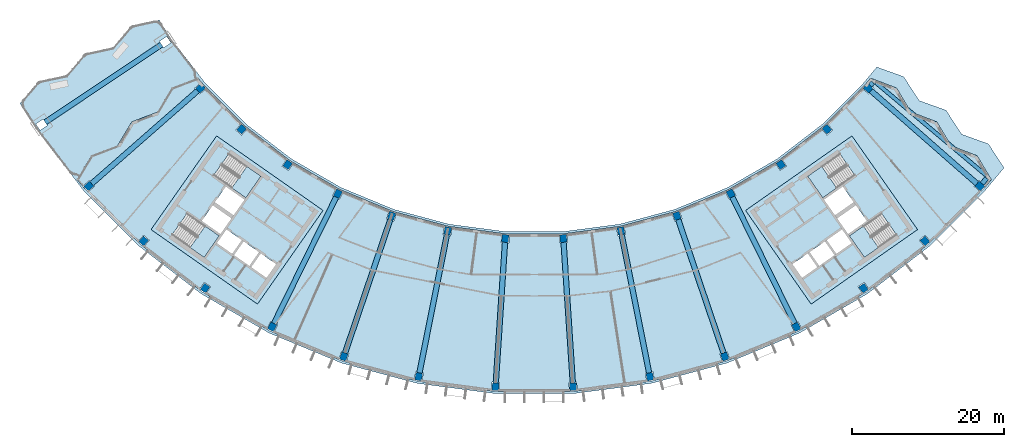
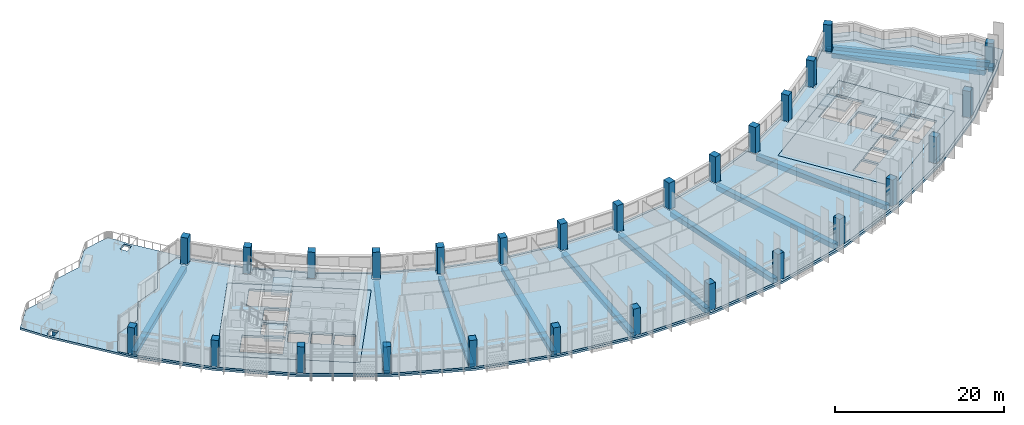
# One storey, part 1 of 29: 28 columns, 14 beams, 8 slabs, 4 elements without a shape of their own.
"""IFC4 building model written with IfcOpenShell, lengths in metres."""

from ifc_helpers import new_model, si_unit, direction, frame, origin, origin_2d, place, context, subcontext, project, spatial, polyline, rectangle, outline, extrude, material, layer, layer_set, material_profile, profile_set, type_object, element, aggregate, save


model = new_model("IFC4")

# Units and contexts
model_context = context("Model", 3, precision=1e-05, world=origin(), true_north=direction((0.0, 1.0)))
body_context = subcontext(model_context, "Body", "Model", "MODEL_VIEW")
ifc_project = project(units=[si_unit("LENGTHUNIT", "METRE"), si_unit("AREAUNIT", "SQUARE_METRE"), si_unit("VOLUMEUNIT", "CUBIC_METRE"), si_unit("PLANEANGLEUNIT", "RADIAN"), si_unit("MASSUNIT", "GRAM", prefix="KILO")], contexts=[model_context])

# Site, building, storey
site_placement = place(None, origin())
site = spatial("IfcSite", under=ifc_project, at=site_placement, CompositionType="ELEMENT")
building_placement = place(site_placement, origin())
building = spatial("IfcBuilding", under=site, at=building_placement, Name="Qamariyya Broadcast Tower", CompositionType="ELEMENT")
storey_placement = place(building_placement, frame((0.0, 0.0, 258.10009765625)))
storey = spatial("IfcBuildingStorey", under=building, at=storey_placement, Name="L62", CompositionType="ELEMENT", Elevation=258.10009765625)

# Columns
ifc_material_1 = material(Name="Concrete C50/60", Category="concrete")
ifc_material_profile_1 = material_profile(ifc_material_1, rectangle(XDim=0.89990234375, YDim=1.0, at=origin_2d()))
ifc_profile_set_1 = profile_set([ifc_material_profile_1], Name="Concrete C50/60")
column_type = type_object("IfcColumnType", Name="RC column 900 x 1000 C50/60", PredefinedType="COLUMN", material=ifc_profile_set_1)
for number, where, z_axis, x_axis, name in (
    (1, (-43.794677734375, -38.406982421875, 0.0), (0.0, 0.0, 1.0), (0.6593458151, -0.751839807479, 0.0), "Column C12 L62 B-R04"),
    (2, (-58.45556640625, -51.26416015625, 0.0), (0.0, 0.0, 1.0), (0.6593458151, -0.751839807479, 0.0), "Column C12 L62 C-R04"),
    (3, (-38.406982421875, -43.794677734375, 0.0), (0.0, 0.0, 1.0), (0.751839807479, -0.6593458151, 0.0), "Column C12 L62 B-R05"),
    (4, (-51.26416015625, -58.45556640625, 0.0), (0.0, 0.0, 1.0), (0.751839807479, -0.6593458151, 0.0), "Column C12 L62 C-R05"),
    (5, (-32.362060546875, -48.43310546875, 0.0), (0.0, 0.0, 1.0), (0.831469612303, -0.55557023302, 0.0), "Column C12 L62 B-R06"),
    (6, (-43.195556640625, -64.646728515625, 0.0), (0.0, 0.0, 1.0), (0.831469612303, -0.55557023302, 0.0), "Column C12 L62 C-R06"),
    (7, (-25.763427734375, -52.242919921875, 0.0), (0.0, 0.0, 1.0), (0.896872741533, -0.442288690219, 0.0), "Column C12 L62 B-R07"),
    (8, (-34.387939453125, -69.73193359375, 0.0), (0.0, 0.0, 1.0), (0.896872741533, -0.442288690219, 0.0), "Column C12 L62 C-R07"),
    (9, (-18.723876953125, -55.15869140625, 0.0), (0.0, 0.0, 1.0), (0.946930129495, -0.321439465303, 0.0), "Column C12 L62 B-R08"),
    (10, (-24.991943359375, -73.623779296875, 0.0), (0.0, 0.0, 1.0), (0.946930129495, -0.321439465303, 0.0), "Column C12 L62 C-R08"),
    (11, (-11.364013671875, -57.130859375, 0.0), (0.0, 0.0, 1.0), (0.980785280403, -0.195090322016, 0.0), "Column C12 L62 B-R09"),
    (12, (-15.168212890625, -76.256103515625, 0.0), (0.0, 0.0, 1.0), (0.980785280403, -0.195090322016, 0.0), "Column C12 L62 C-R09"),
    (13, (-3.809814453125, -58.125244140625, 0.0), (0.0, 0.0, 1.0), (0.997858923239, -0.06540312923, 0.0), "Column C12 L62 B-R10"),
    (14, (-5.085205078125, -77.58349609375, 0.0), (0.0, 0.0, 1.0), (0.997858923239, -0.06540312923, 0.0), "Column C12 L62 C-R10"),
    (15, (3.809814453125, -58.125244140625, 0.0), (0.0, 0.0, 1.0), (0.997858923239, 0.06540312923, 0.0), "Column C12 L62 B-R11"),
    (16, (5.085205078125, -77.58349609375, 0.0), (0.0, 0.0, 1.0), (0.997858923239, 0.06540312923, 0.0), "Column C12 L62 C-R11"),
    (17, (11.364013671875, -57.130859375, 0.0), (0.0, 0.0, 1.0), (0.980785280403, 0.195090322016, 0.0), "Column C12 L62 B-R12"),
    (18, (15.168212890625, -76.256103515625, 0.0), (0.0, 0.0, 1.0), (0.980785280403, 0.195090322016, 0.0), "Column C12 L62 C-R12"),
    (19, (18.723876953125, -55.15869140625, 0.0), (0.0, 0.0, 1.0), (0.946930129495, 0.321439465303, 0.0), "Column C12 L62 B-R13"),
    (20, (24.991943359375, -73.623779296875, 0.0), (0.0, 0.0, 1.0), (0.946930129495, 0.321439465303, 0.0), "Column C12 L62 C-R13"),
    (21, (25.763427734375, -52.242919921875, 0.0), (0.0, 0.0, 1.0), (0.896872741533, 0.442288690219, 0.0), "Column C12 L62 B-R14"),
    (22, (34.387939453125, -69.73193359375, 0.0), (0.0, 0.0, 1.0), (0.896872741533, 0.442288690219, 0.0), "Column C12 L62 C-R14"),
    (23, (32.362060546875, -48.43310546875, 0.0), (0.0, 0.0, 1.0), (0.831469612303, 0.55557023302, 0.0), "Column C12 L62 B-R15"),
    (24, (43.195556640625, -64.646728515625, 0.0), (0.0, 0.0, 1.0), (0.831469612303, 0.55557023302, 0.0), "Column C12 L62 C-R15"),
    (25, (38.406982421875, -43.794677734375, 0.0), (0.0, 0.0, 1.0), (0.751839807479, 0.6593458151, 0.0), "Column C12 L62 B-R16"),
    (26, (51.26416015625, -58.45556640625, 0.0), (0.0, 0.0, 1.0), (0.751839807479, 0.6593458151, 0.0), "Column C12 L62 C-R16"),
    (27, (43.794677734375, -38.406982421875, 0.0), (0.0, 0.0, 1.0), (0.6593458151, 0.751839807479, 0.0), "Column C12 L62 B-R17"),
    (28, (58.45556640625, -51.26416015625, 0.0), (0.0, 0.0, 1.0), (0.6593458151, 0.751839807479, 0.0), "Column C12 L62 C-R17"),
):
    element("IfcColumn", number, at=place(storey_placement, frame(where, z_axis=z_axis, x_axis=x_axis)), inside=storey, type_object=column_type, Name=name, PredefinedType="COLUMN", context=body_context, shape_type="SweptSolid", body=[
        extrude(rectangle(XDim=0.89990234375, YDim=1.0, at=origin_2d()), origin(), (0.0, 0.0, 1.0), 3.7998046875),
    ])

# Beams
ifc_material_2 = material(Name="Concrete C40/50", Category="concrete")
ifc_material_profile_2 = material_profile(ifc_material_2, rectangle(XDim=0.60009765625, YDim=0.699951171875, at=origin_2d()))
ifc_profile_set_2 = profile_set([ifc_material_profile_2], Name="Concrete C40/50")
beam_type_1 = type_object("IfcBeamType", Name="RC horn beam 600 x 700 C40/50", PredefinedType="BEAM", material=ifc_profile_set_2)
beam_1_placement = place(storey_placement, frame((44.087890625, -38.0654296875, -0.650146484375), z_axis=(0.651293947196, 0.758825536171, 0.0), x_axis=(-0.758825536171, 0.651293947196, 0.0)))
element("IfcBeam", 29, at=beam_1_placement, inside=storey, type_object=beam_type_1, Name="Horn beam B19 L62 E B-R17", PredefinedType="BEAM", context=body_context, shape_type="SweptSolid", body=[
    extrude(rectangle(XDim=0.60009765625, YDim=0.699951171875, at=origin_2d()), origin(), (0.0, 0.0, 1.0), 0.52001953125),
])
beam_2_placement = place(storey_placement, frame((58.748779296875, -50.922607421875, -0.650146484375), z_axis=(0.651419226035, 0.758717992374, 0.0), x_axis=(-0.758717992374, 0.651419226035, 0.0)))
element("IfcBeam", 30, at=beam_2_placement, inside=storey, type_object=beam_type_1, Name="Horn beam B19 L62 E C-R17", PredefinedType="BEAM", context=body_context, shape_type="SweptSolid", body=[
    extrude(rectangle(XDim=0.60009765625, YDim=0.699951171875, at=origin_2d()), origin(), (0.0, 0.0, 1.0), 0.92822265625),
])
ifc_material_profile_3 = material_profile(ifc_material_2, rectangle(XDim=0.5, YDim=0.699951171875, at=origin_2d()))
ifc_profile_set_3 = profile_set([ifc_material_profile_3], Name="Concrete C40/50")
beam_type_2 = type_object("IfcBeamType", Name="RC horn cap beam 500 x 700 C40/50", PredefinedType="BEAM", material=ifc_profile_set_3)
beam_3_placement = place(storey_placement, frame((44.819091796875, -37.67431640625, -0.650146484375), z_axis=(0.765479354905, -0.643460455051, 0.0), x_axis=(0.643460455051, 0.765479354905, 0.0)))
element("IfcBeam", 31, at=beam_3_placement, inside=storey, type_object=beam_type_2, Name="Horn cap beam B21 L62 E B-C", PredefinedType="BEAM", context=body_context, shape_type="SweptSolid", body=[
    extrude(rectangle(XDim=0.5, YDim=0.699951171875, at=origin_2d()), origin(), (0.0, 0.0, 1.0), 18.89990234375),
])
ifc_material_profile_4 = material_profile(ifc_material_2, rectangle(XDim=0.699951171875, YDim=0.699951171875, at=origin_2d()))
ifc_profile_set_4 = profile_set([ifc_material_profile_4], Name="Concrete C40/50")
beam_type_3 = type_object("IfcBeamType", Name="RC radial beam 700 x 700 C40/50", PredefinedType="BEAM", material=ifc_profile_set_4)
beam_4_placement = place(storey_placement, frame((-48.9111328125, -32.681396484375, -0.650146484375), z_axis=(-0.831468530479, -0.55557185208, 0.0), x_axis=(0.55557185208, -0.831468530479, 0.0)))
element("IfcBeam", 32, at=beam_4_placement, inside=storey, type_object=beam_type_3, Name="Radial beam B18 L62 R03 B-C", PredefinedType="BEAM", context=body_context, shape_type="SweptSolid", body=[
    extrude(rectangle(XDim=0.699951171875, YDim=0.699951171875, at=origin_2d()), origin(), (0.0, 0.0, 1.0), 18.35009765625),
])
beam_5_placement = place(storey_placement, frame((-44.170654296875, -38.736572265625, -0.650146484375), z_axis=(-0.751834744467, -0.659351588314, 0.0), x_axis=(0.659351588314, -0.751834744467, 0.0)))
element("IfcBeam", 33, at=beam_5_placement, inside=storey, type_object=beam_type_3, Name="Radial beam B18 L62 R04 B-C", PredefinedType="BEAM", context=body_context, shape_type="SweptSolid", body=[
    extrude(rectangle(XDim=0.699951171875, YDim=0.699951171875, at=origin_2d()), origin(), (0.0, 0.0, 1.0), 18.5),
])
for number, where, z_axis, x_axis, name in (
    (34, (-25.984375, -52.691162109375, -0.650146484375), (-0.442287103846, -0.896873523843, 0.0), (0.896873523843, -0.442287103846, 0.0), "Radial beam B18 L62 R07 B-C"),
    (35, (-18.884521484375, -55.632080078125, -0.650146484375), (-0.321444904473, -0.946928283128, 0.0), (0.946928283128, -0.321444904473, 0.0), "Radial beam B18 L62 R08 B-C"),
):
    element("IfcBeam", number, at=place(storey_placement, frame(where, z_axis=z_axis, x_axis=x_axis)), inside=storey, type_object=beam_type_3, Name=name, PredefinedType="BEAM", context=body_context, shape_type="SweptSolid", body=[
        extrude(rectangle(XDim=0.699951171875, YDim=0.699951171875, at=origin_2d()), origin(), (0.0, 0.0, 1.0), 18.500244140625),
    ])
for number, where, z_axis, x_axis, name in (
    (36, (-11.461669921875, -57.62109375, -0.650146484375), (-0.195088200207, -0.980785702455, 0.0), (0.980785702455, -0.195088200207, 0.0), "Radial beam B18 L62 R09 B-C"),
    (37, (-3.842529296875, -58.624267578125, -0.650146484375), (-0.065403084588, -0.997858926165, 0.0), (0.997858926165, -0.065403084588, 0.0), "Radial beam B18 L62 R10 B-C"),
    (38, (3.842529296875, -58.624267578125, -0.650146484375), (0.065403084588, -0.997858926165, 0.0), (0.997858926165, 0.065403084588, 0.0), "Radial beam B18 L62 R11 B-C"),
    (39, (11.461669921875, -57.62109375, -0.650146484375), (0.195088200207, -0.980785702455, 0.0), (0.980785702455, 0.195088200207, 0.0), "Radial beam B18 L62 R12 B-C"),
):
    element("IfcBeam", number, at=place(storey_placement, frame(where, z_axis=z_axis, x_axis=x_axis)), inside=storey, type_object=beam_type_3, Name=name, PredefinedType="BEAM", context=body_context, shape_type="SweptSolid", body=[
        extrude(rectangle(XDim=0.699951171875, YDim=0.699951171875, at=origin_2d()), origin(), (0.0, 0.0, 1.0), 18.5),
    ])
for number, where, z_axis, x_axis, name in (
    (40, (18.884521484375, -55.632080078125, -0.650146484375), (0.321444904473, -0.946928283128, 0.0), (0.946928283128, 0.321444904473, 0.0), "Radial beam B18 L62 R13 B-C"),
    (41, (25.984375, -52.691162109375, -0.650146484375), (0.442287103846, -0.896873523843, 0.0), (0.896873523843, 0.442287103846, 0.0), "Radial beam B18 L62 R14 B-C"),
):
    element("IfcBeam", number, at=place(storey_placement, frame(where, z_axis=z_axis, x_axis=x_axis)), inside=storey, type_object=beam_type_3, Name=name, PredefinedType="BEAM", context=body_context, shape_type="SweptSolid", body=[
        extrude(rectangle(XDim=0.699951171875, YDim=0.699951171875, at=origin_2d()), origin(), (0.0, 0.0, 1.0), 18.500244140625),
    ])
beam_6_placement = place(storey_placement, frame((44.170654296875, -38.736572265625, -0.650146484375), z_axis=(0.751834744467, -0.659351588314, 0.0), x_axis=(0.659351588314, 0.751834744467, 0.0)))
element("IfcBeam", 42, at=beam_6_placement, inside=storey, type_object=beam_type_3, Name="Radial beam B18 L62 R17 B-C", PredefinedType="BEAM", context=body_context, shape_type="SweptSolid", body=[
    extrude(rectangle(XDim=0.699951171875, YDim=0.699951171875, at=origin_2d()), origin(), (0.0, 0.0, 1.0), 18.5),
])

# Slabs
ifc_layer_1 = layer(ifc_material_2, 0.300048828125)
ifc_layer_set_1 = layer_set([ifc_layer_1], Name="Core floor slab 300 mm Concrete C40/50")
slab_type_1 = type_object("IfcSlabType", Name="Core floor slab 300 mm Concrete C40/50", PredefinedType="FLOOR", material=ifc_layer_set_1)
slab_1_placement = place(storey_placement, frame((0.0, 0.0, -0.300048828125)))
element("IfcSlab", 43, at=slab_1_placement, inside=storey, type_object=slab_type_1, Name="k-W-L62-slab", PredefinedType="FLOOR", context=body_context, shape_type="SweptSolid", body=[
    extrude(outline(polyline([(-50.286376953125, -56.95751953125), (-36.32373046875, -66.734375), (-27.719970703125, -54.447021484375), (-41.6826171875, -44.67041015625), (-50.286376953125, -56.95751953125)]), holes=[polyline([(-33.87353515625, -61.49169921875), (-35.88037109375, -60.08642578125), (-37.142333984375, -61.888427734375), (-35.13525390625, -63.293701171875), (-33.87353515625, -61.49169921875)]), polyline([(-36.126220703125, -59.914306640625), (-38.133056640625, -58.509033203125), (-39.394775390625, -60.311279296875), (-37.387939453125, -61.716552734375), (-36.126220703125, -59.914306640625)]), polyline([(-38.378662109375, -58.3369140625), (-40.3857421875, -56.931640625), (-41.6474609375, -58.73388671875), (-39.640625, -60.13916015625), (-38.378662109375, -58.3369140625)]), polyline([(-39.742431640625, -55.489990234375), (-42.199951171875, -53.769287109375), (-43.6337890625, -55.817138671875), (-41.17626953125, -57.537841796875), (-39.742431640625, -55.489990234375)]), polyline([(-39.45556640625, -55.080322265625), (-41.9130859375, -53.359619140625), (-40.47900390625, -51.311767578125), (-38.021728515625, -53.032470703125), (-39.45556640625, -55.080322265625)]), polyline([(-42.06103515625, -49.837890625), (-37.849609375, -52.78662109375), (-35.870849609375, -49.960693359375), (-40.082275390625, -47.01171875), (-42.06103515625, -49.837890625)]), polyline([(-47.538818359375, -57.66064453125), (-43.3271484375, -60.609619140625), (-41.348388671875, -57.783447265625), (-45.559814453125, -54.834716796875), (-47.538818359375, -57.66064453125)])]), origin(), (0.0, 0.0, 1.0), 0.300048828125),
])
slab_2_placement = place(storey_placement, frame((0.0, 0.0, -0.300048828125)))
element("IfcSlab", 44, at=slab_2_placement, inside=storey, type_object=slab_type_1, Name="k-E-L62-slab", PredefinedType="FLOOR", context=body_context, shape_type="SweptSolid", body=[
    extrude(outline(polyline([(36.32373046875, -66.734375), (50.286376953125, -56.95751953125), (41.6826171875, -44.67041015625), (27.719970703125, -54.447021484375), (36.32373046875, -66.734375)]), holes=[polyline([(33.87353515625, -61.49169921875), (35.88037109375, -60.08642578125), (37.142333984375, -61.888427734375), (35.13525390625, -63.293701171875), (33.87353515625, -61.49169921875)]), polyline([(36.126220703125, -59.914306640625), (38.133056640625, -58.509033203125), (39.394775390625, -60.311279296875), (37.387939453125, -61.716552734375), (36.126220703125, -59.914306640625)]), polyline([(38.378662109375, -58.3369140625), (40.3857421875, -56.931640625), (41.6474609375, -58.73388671875), (39.640625, -60.13916015625), (38.378662109375, -58.3369140625)]), polyline([(39.742431640625, -55.489990234375), (42.199951171875, -53.769287109375), (43.6337890625, -55.817138671875), (41.17626953125, -57.537841796875), (39.742431640625, -55.489990234375)]), polyline([(39.45556640625, -55.080322265625), (41.9130859375, -53.359619140625), (40.47900390625, -51.311767578125), (38.021728515625, -53.032470703125), (39.45556640625, -55.080322265625)]), polyline([(40.082275390625, -47.01171875), (35.870849609375, -49.960693359375), (37.849609375, -52.78662109375), (42.06103515625, -49.837890625), (40.082275390625, -47.01171875)]), polyline([(45.559814453125, -54.834716796875), (41.348388671875, -57.783447265625), (43.3271484375, -60.609619140625), (47.538818359375, -57.66064453125), (45.559814453125, -54.834716796875)])]), origin(), (0.0, 0.0, 1.0), 0.300048828125),
])
ifc_layer_2 = layer(ifc_material_2, 0.300048828125)
ifc_layer_set_2 = layer_set([ifc_layer_2], Name="Post-tensioned floor slab 300 C40/50")
slab_type_2 = type_object("IfcSlabType", Name="Post-tensioned floor slab 300 C40/50", PredefinedType="FLOOR", material=ifc_layer_set_2)
slab_3_placement = place(storey_placement, frame((0.0, 0.0, -0.300048828125)))
element("IfcSlab", 45, at=slab_3_placement, inside=storey, type_object=slab_type_2, Name="Floor slab S4 L62", PredefinedType="FLOOR", context=body_context, shape_type="SweptSolid", body=[
    extrude(outline(polyline([(-58.90673828125, -51.65966796875), (-58.636474609375, -51.929931640625), (-59.217529296875, -51.267333984375), (-58.35302734375, -50.509033203125), (-57.693603515625, -51.260986328125), (-58.55224609375, -52.01416015625), (-52.01416015625, -58.55224609375), (-51.260986328125, -57.693603515625), (-50.509033203125, -58.35302734375), (-51.26220703125, -59.211669921875), (-43.926513671875, -64.840576171875), (-43.291748046875, -63.890869140625), (-42.46044921875, -64.446533203125), (-43.094970703125, -65.396240234375), (-35.087158203125, -70.01953125), (-34.58203125, -68.9951171875), (-33.685302734375, -69.437255859375), (-34.1904296875, -70.461669921875), (-25.647705078125, -74.000244140625), (-25.280517578125, -72.918701171875), (-24.333740234375, -73.239990234375), (-24.70068359375, -74.32177734375), (-15.769287109375, -76.71484375), (-15.54638671875, -75.594482421875), (-14.565673828125, -75.78955078125), (-14.78857421875, -76.909912109375), (-5.62109375, -78.116943359375), (-5.54638671875, -76.97705078125), (-4.548583984375, -77.04248046875), (-4.623291015625, -78.18212890625), (4.623291015625, -78.18212890625), (4.548583984375, -77.04248046875), (5.54638671875, -76.97705078125), (5.62109375, -78.116943359375), (14.78857421875, -76.909912109375), (14.565673828125, -75.78955078125), (15.54638671875, -75.594482421875), (15.769287109375, -76.71484375), (24.70068359375, -74.32177734375), (24.333740234375, -73.239990234375), (25.280517578125, -72.918701171875), (25.647705078125, -74.000244140625), (34.1904296875, -70.461669921875), (33.685302734375, -69.437255859375), (34.58203125, -68.9951171875), (35.087158203125, -70.01953125), (43.094970703125, -65.396240234375), (42.46044921875, -64.446533203125), (43.291748046875, -63.890869140625), (43.926513671875, -64.840576171875), (51.26220703125, -59.211669921875), (50.509033203125, -58.35302734375), (51.260986328125, -57.693603515625), (52.01416015625, -58.55224609375), (58.55224609375, -52.01416015625), (57.693603515625, -51.260986328125), (58.35302734375, -50.509033203125), (59.217529296875, -51.267333984375), (58.636474609375, -51.929931640625), (58.90673828125, -51.65966796875), (59.9755859375, -50.414794921875), (58.099365234375, -47.27001953125), (54.69384765625, -45.974853515625), (52.81689453125, -42.82958984375), (49.411865234375, -41.53515625), (47.5341796875, -38.38916015625), (44.130126953125, -37.09521484375), (43.343505859375, -38.01123046875), (38.01123046875, -43.343505859375), (32.028564453125, -47.934326171875), (25.498046875, -51.704833984375), (18.531005859375, -54.590576171875), (11.2470703125, -56.542236328125), (3.7705078125, -57.526611328125), (-3.7705078125, -57.526611328125), (-11.2470703125, -56.542236328125), (-18.531005859375, -54.590576171875), (-25.498046875, -51.704833984375), (-32.028564453125, -47.934326171875), (-38.01123046875, -43.343505859375), (-43.343505859375, -38.01123046875), (-44.130126953125, -37.09521484375), (-47.5341796875, -38.38916015625), (-49.411865234375, -41.53515625), (-52.81689453125, -42.82958984375), (-54.69384765625, -45.974853515625), (-58.099365234375, -47.27001953125), (-59.9755859375, -50.414794921875), (-58.90673828125, -51.65966796875)]), holes=[polyline([(-11.966552734375, -57.59716796875), (-11.7421875, -56.46923828125), (-10.761474609375, -56.664306640625), (-10.98583984375, -57.792236328125), (-11.966552734375, -57.59716796875)]), polyline([(-50.286376953125, -56.95751953125), (-41.6826171875, -44.67041015625), (-27.719970703125, -54.447021484375), (-36.32373046875, -66.734375), (-50.286376953125, -56.95751953125)]), polyline([(-19.382080078125, -55.54248046875), (-19.012451171875, -54.453369140625), (-18.065673828125, -54.77490234375), (-18.435302734375, -55.86376953125), (-19.382080078125, -55.54248046875)]), polyline([(-26.466064453125, -52.537353515625), (-25.95751953125, -51.506103515625), (-25.060546875, -51.9482421875), (-25.569091796875, -52.979736328125), (-26.466064453125, -52.537353515625)]), polyline([(-33.09716796875, -48.63330078125), (-32.458251953125, -47.67724609375), (-31.626708984375, -48.23291015625), (-32.265625, -49.18896484375), (-33.09716796875, -48.63330078125)]), polyline([(-39.161865234375, -43.897216796875), (-38.40380859375, -43.03271484375), (-37.65185546875, -43.692138671875), (-38.41015625, -44.556640625), (-39.161865234375, -43.897216796875)]), polyline([(-44.556640625, -38.41015625), (-43.692138671875, -37.65185546875), (-43.03271484375, -38.40380859375), (-43.897216796875, -39.161865234375), (-44.556640625, -38.41015625)]), polyline([(-4.34619140625, -58.666259765625), (-4.27099609375, -57.518798828125), (-3.273193359375, -57.584228515625), (-3.348388671875, -58.731689453125), (-4.34619140625, -58.666259765625)]), polyline([(3.348388671875, -58.731689453125), (3.273193359375, -57.584228515625), (4.27099609375, -57.518798828125), (4.34619140625, -58.666259765625), (3.348388671875, -58.731689453125)]), polyline([(10.98583984375, -57.792236328125), (10.761474609375, -56.664306640625), (11.7421875, -56.46923828125), (11.966552734375, -57.59716796875), (10.98583984375, -57.792236328125)]), polyline([(36.32373046875, -66.734375), (27.719970703125, -54.447021484375), (41.6826171875, -44.67041015625), (50.286376953125, -56.95751953125), (36.32373046875, -66.734375)]), polyline([(18.435302734375, -55.86376953125), (18.065673828125, -54.77490234375), (19.012451171875, -54.453369140625), (19.382080078125, -55.54248046875), (18.435302734375, -55.86376953125)]), polyline([(25.569091796875, -52.979736328125), (25.060546875, -51.9482421875), (25.95751953125, -51.506103515625), (26.466064453125, -52.537353515625), (25.569091796875, -52.979736328125)]), polyline([(32.265625, -49.18896484375), (31.626708984375, -48.23291015625), (32.458251953125, -47.67724609375), (33.09716796875, -48.63330078125), (32.265625, -49.18896484375)]), polyline([(38.41015625, -44.556640625), (37.65185546875, -43.692138671875), (38.40380859375, -43.03271484375), (39.161865234375, -43.897216796875), (38.41015625, -44.556640625)]), polyline([(43.897216796875, -39.161865234375), (43.03271484375, -38.40380859375), (43.692138671875, -37.65185546875), (44.556640625, -38.41015625), (43.897216796875, -39.161865234375)])]), origin(), (0.0, 0.0, 1.0), 0.300048828125),
])
ifc_layer_3 = layer(ifc_material_2, 0.300048828125)
ifc_layer_set_3 = layer_set([ifc_layer_3], Name="Roof slab 300 C40/50")
slab_type_3 = type_object("IfcSlabType", Name="Roof slab 300 C40/50", PredefinedType="ROOF", material=ifc_layer_set_3)
slab_4_placement = place(storey_placement, frame((0.0, 0.0, -0.300048828125)))
element("IfcSlab", 46, at=slab_4_placement, inside=storey, type_object=slab_type_3, Name="Terrace slab S6 L62", PredefinedType="ROOF", context=body_context, shape_type="SweptSolid", body=[
    extrude(outline(polyline([(-58.951416015625, -33.892822265625), (-61.39013671875, -36.751220703125), (-65.044189453125, -37.540283203125), (-67.48193359375, -40.398193359375), (-65.39501953125, -43.695556640625), (-59.132080078125, -51.857666015625), (-51.857666015625, -59.132080078125), (-43.695556640625, -65.39501953125), (-34.785888671875, -70.5390625), (-25.28125, -74.47607421875), (-15.34375, -77.138671875), (-5.14404296875, -78.481689453125), (5.14404296875, -78.481689453125), (15.34375, -77.138671875), (25.28125, -74.47607421875), (34.785888671875, -70.5390625), (43.695556640625, -65.39501953125), (51.857666015625, -59.132080078125), (59.132080078125, -51.857666015625), (61.631591796875, -48.86083984375), (59.587646484375, -45.708984375), (56.06787109375, -44.449951171875), (54.023193359375, -41.297607421875), (50.504150390625, -40.0390625), (48.45849609375, -36.885986328125), (44.9404296875, -35.628173828125), (43.117919921875, -37.8134765625), (37.8134765625, -43.117919921875), (31.862060546875, -47.684814453125), (25.365234375, -51.435546875), (18.4345703125, -54.306396484375), (11.1884765625, -56.248046875), (3.7509765625, -57.227294921875), (-3.7509765625, -57.227294921875), (-11.1884765625, -56.248046875), (-18.4345703125, -54.306396484375), (-25.365234375, -51.435546875), (-31.862060546875, -47.684814453125), (-37.8134765625, -43.117919921875), (-43.117919921875, -37.8134765625), (-47.684814453125, -31.862060546875), (-49.20654296875, -29.45751953125), (-52.858642578125, -30.245361328125), (-55.29833984375, -33.1044921875), (-58.951416015625, -33.892822265625)]), holes=[polyline([(-51.3564453125, -59.139404296875), (-51.65966796875, -58.90673828125), (-51.929931640625, -58.636474609375), (-52.019287109375, -58.55810546875), (-52.01416015625, -58.55224609375), (-58.55224609375, -52.01416015625), (-58.55810546875, -52.019287109375), (-58.636474609375, -51.929931640625), (-58.90673828125, -51.65966796875), (-59.9755859375, -50.414794921875), (-58.099365234375, -47.27001953125), (-54.69384765625, -45.974853515625), (-52.81689453125, -42.82958984375), (-49.411865234375, -41.53515625), (-47.5341796875, -38.38916015625), (-44.130126953125, -37.09521484375), (-43.343505859375, -38.01123046875), (-38.01123046875, -43.343505859375), (-32.028564453125, -47.934326171875), (-25.498046875, -51.704833984375), (-18.531005859375, -54.590576171875), (-11.2470703125, -56.542236328125), (-3.7705078125, -57.526611328125), (3.7705078125, -57.526611328125), (11.2470703125, -56.542236328125), (18.531005859375, -54.590576171875), (25.498046875, -51.704833984375), (32.028564453125, -47.934326171875), (38.01123046875, -43.343505859375), (43.343505859375, -38.01123046875), (44.130126953125, -37.09521484375), (47.5341796875, -38.38916015625), (49.411865234375, -41.53515625), (52.81689453125, -42.82958984375), (54.69384765625, -45.974853515625), (58.099365234375, -47.27001953125), (59.9755859375, -50.414794921875), (58.90673828125, -51.65966796875), (58.636474609375, -51.929931640625), (58.55810546875, -52.019287109375), (58.55224609375, -52.01416015625), (52.01416015625, -58.55224609375), (52.019287109375, -58.55810546875), (51.929931640625, -58.636474609375), (51.65966796875, -58.90673828125), (51.3564453125, -59.139404296875), (51.267333984375, -59.217529296875), (51.26220703125, -59.211669921875), (43.926513671875, -64.840576171875), (43.9306640625, -64.84716796875), (43.832275390625, -64.912841796875), (43.52880859375, -65.145751953125), (43.197998046875, -65.336669921875), (43.099365234375, -65.402587890625), (43.094970703125, -65.396240234375), (35.087158203125, -70.01953125), (35.090576171875, -70.0263671875), (34.984375, -70.078857421875), (34.6533203125, -70.27001953125), (34.30029296875, -70.416259765625), (34.19384765625, -70.46875), (34.1904296875, -70.461669921875), (25.647705078125, -74.000244140625), (25.650146484375, -74.007568359375), (25.537841796875, -74.045654296875), (25.184814453125, -74.19189453125), (24.815673828125, -74.291015625), (24.703369140625, -74.3291015625), (24.70068359375, -74.32177734375), (15.769287109375, -76.71484375), (15.770751953125, -76.722412109375), (15.654541015625, -76.74560546875), (15.285400390625, -76.844482421875), (14.90625, -76.89453125), (14.7900390625, -76.91748046875), (14.78857421875, -76.909912109375), (5.62109375, -78.116943359375), (5.62158203125, -78.12451171875), (5.50341796875, -78.13232421875), (5.124267578125, -78.18212890625), (4.7421875, -78.18212890625), (4.623779296875, -78.18994140625), (4.623291015625, -78.18212890625), (-4.623291015625, -78.18212890625), (-4.623779296875, -78.18994140625), (-4.7421875, -78.18212890625), (-5.124267578125, -78.18212890625), (-5.50341796875, -78.13232421875), (-5.62158203125, -78.12451171875), (-5.62109375, -78.116943359375), (-14.78857421875, -76.909912109375), (-14.7900390625, -76.91748046875), (-14.90625, -76.89453125), (-15.285400390625, -76.844482421875), (-15.654541015625, -76.74560546875), (-15.770751953125, -76.722412109375), (-15.769287109375, -76.71484375), (-24.70068359375, -74.32177734375), (-24.703369140625, -74.3291015625), (-24.815673828125, -74.291015625), (-25.184814453125, -74.19189453125), (-25.537841796875, -74.045654296875), (-25.650146484375, -74.007568359375), (-25.647705078125, -74.000244140625), (-34.1904296875, -70.461669921875), (-34.19384765625, -70.46875), (-34.30029296875, -70.416259765625), (-34.6533203125, -70.27001953125), (-34.984375, -70.078857421875), (-35.090576171875, -70.0263671875), (-35.087158203125, -70.01953125), (-43.094970703125, -65.396240234375), (-43.099365234375, -65.402587890625), (-43.197998046875, -65.336669921875), (-43.52880859375, -65.145751953125), (-43.832275390625, -64.912841796875), (-43.9306640625, -64.84716796875), (-43.926513671875, -64.840576171875), (-51.26220703125, -59.211669921875), (-51.267333984375, -59.217529296875), (-51.3564453125, -59.139404296875)]), polyline([(-65.402587890625, -43.099365234375), (-64.446533203125, -42.46044921875), (-63.890869140625, -43.291748046875), (-64.84716796875, -43.9306640625), (-65.402587890625, -43.099365234375)]), polyline([(-49.18896484375, -32.265625), (-48.23291015625, -31.626708984375), (-47.67724609375, -32.458251953125), (-48.63330078125, -33.09716796875), (-49.18896484375, -32.265625)])]), origin(), (0.0, 0.0, 1.0), 0.300048828125),
])

# Stair, slab
stair_type = type_object("IfcStairType", Name="Exit stair 22 risers of 173 mm", PredefinedType="HALF_TURN_STAIR", material=ifc_material_1)
stair_1_placement = place(storey_placement, origin())
stair_1 = element("IfcStair", 47, at=stair_1_placement, inside=storey, type_object=stair_type, Name="L62 Stair W2", PredefinedType="HALF_TURN_STAIR")
ifc_layer_4 = layer(ifc_material_1, 0.199951171875)
ifc_layer_set_4 = layer_set([ifc_layer_4], Name="Stair landing")
slab_type_4 = type_object("IfcSlabType", Name="Stair landing", PredefinedType="LANDING", material=ifc_layer_set_4)
slab_5_placement = place(storey_placement, frame((0.0, 0.0, 1.699951171875)))
slab_5 = element("IfcSlab", 48, at=slab_5_placement, type_object=slab_type_4, Name="ST-W2 landing 1", PredefinedType="LANDING", context=body_context, shape_type="SweptSolid", body=[
    extrude(outline(polyline([(-39.692138671875, -51.49658203125), (-37.849609375, -52.78662109375), (-35.870849609375, -49.960693359375), (-37.71337890625, -48.67041015625), (-39.692138671875, -51.49658203125)])), origin(), (0.0, 0.0, 1.0), 0.199951171875),
])
aggregate(stair_1, [slab_5])

stair_2_placement = place(storey_placement, origin())
stair_2 = element("IfcStair", 49, at=stair_2_placement, inside=storey, type_object=stair_type, Name="L62 Stair W1", PredefinedType="HALF_TURN_STAIR")
slab_6_placement = place(storey_placement, frame((0.0, 0.0, 1.699951171875)))
slab_6 = element("IfcSlab", 50, at=slab_6_placement, type_object=slab_type_4, Name="ST-W1 landing 1", PredefinedType="LANDING", context=body_context, shape_type="SweptSolid", body=[
    extrude(outline(polyline([(-45.169677734375, -59.319580078125), (-43.3271484375, -60.609619140625), (-41.348388671875, -57.783447265625), (-43.19091796875, -56.493408203125), (-45.169677734375, -59.319580078125)])), origin(), (0.0, 0.0, 1.0), 0.199951171875),
])
aggregate(stair_2, [slab_6])

stair_3_placement = place(storey_placement, origin())
stair_3 = element("IfcStair", 51, at=stair_3_placement, inside=storey, type_object=stair_type, Name="L62 Stair E2", PredefinedType="HALF_TURN_STAIR")
slab_7_placement = place(storey_placement, frame((0.0, 0.0, 1.699951171875)))
slab_7 = element("IfcSlab", 52, at=slab_7_placement, type_object=slab_type_4, Name="ST-E2 landing 1", PredefinedType="LANDING", context=body_context, shape_type="SweptSolid", body=[
    extrude(outline(polyline([(37.71337890625, -48.67041015625), (35.870849609375, -49.960693359375), (37.849609375, -52.78662109375), (39.692138671875, -51.49658203125), (37.71337890625, -48.67041015625)])), origin(), (0.0, 0.0, 1.0), 0.199951171875),
])
aggregate(stair_3, [slab_7])

stair_4_placement = place(storey_placement, origin())
stair_4 = element("IfcStair", 53, at=stair_4_placement, inside=storey, type_object=stair_type, Name="L62 Stair E1", PredefinedType="HALF_TURN_STAIR")
slab_8_placement = place(storey_placement, frame((0.0, 0.0, 1.699951171875)))
slab_8 = element("IfcSlab", 54, at=slab_8_placement, type_object=slab_type_4, Name="ST-E1 landing 1", PredefinedType="LANDING", context=body_context, shape_type="SweptSolid", body=[
    extrude(outline(polyline([(43.19091796875, -56.493408203125), (41.348388671875, -57.783447265625), (43.3271484375, -60.609619140625), (45.169677734375, -59.319580078125), (43.19091796875, -56.493408203125)])), origin(), (0.0, 0.0, 1.0), 0.199951171875),
])
aggregate(stair_4, [slab_8])

save(model, "model.ifc")
